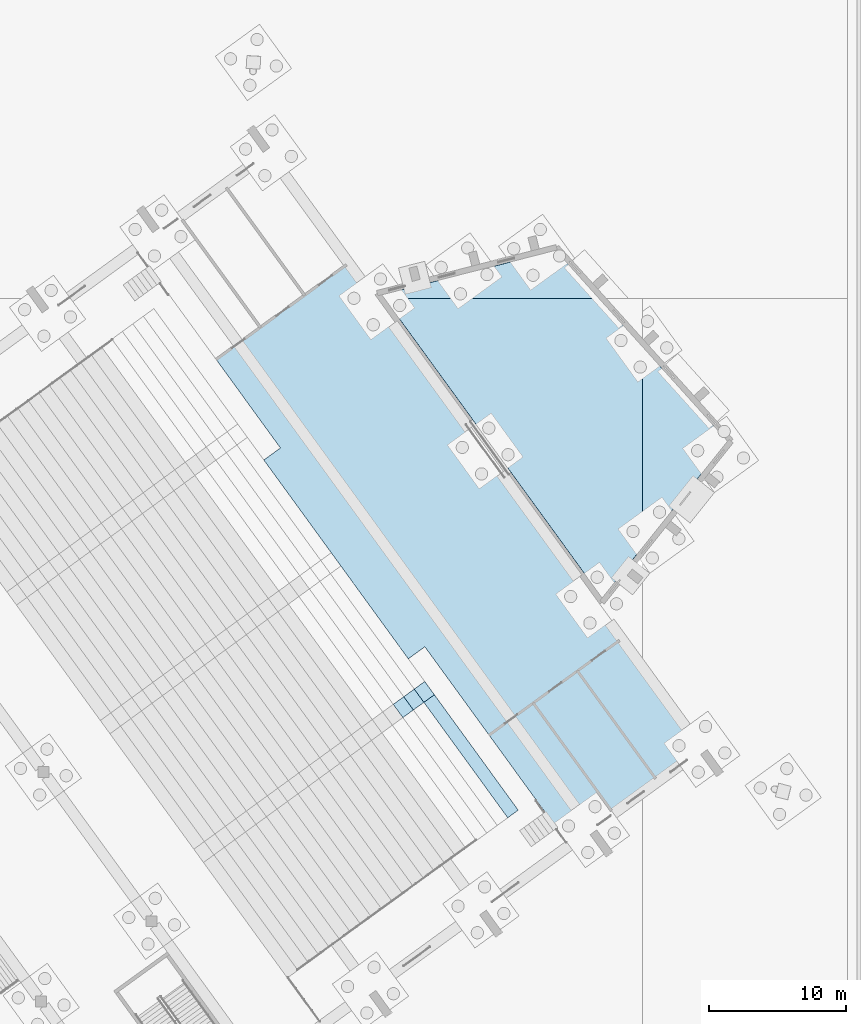
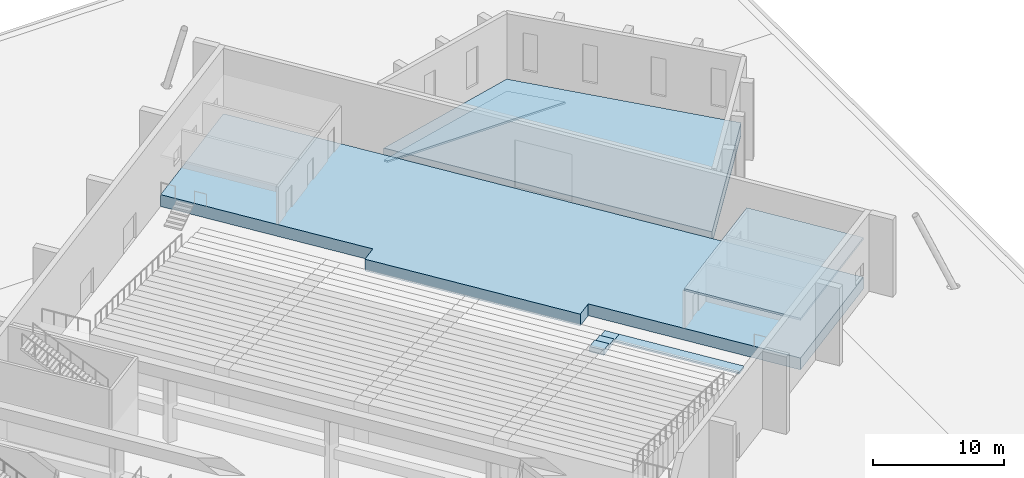
# One storey, part 163 of 239: 10 slabs.
"""IFC4 building model written with IfcOpenShell, lengths in metres."""

import ifcopenshell
import ifcopenshell.guid

model = None  # the IFC model being written
_history = None  # IfcOwnerHistory: only IFC2X3 demands one
_inside = {}  # id of a spatial element -> (the spatial element, [elements in it])
_under = {}  # id of a project, library or spatial element -> (it, [spatial elements below it])
_declared = {}  # id of a project -> (the project, [libraries it declares])
_typed = {}  # id of a type object -> (the type object, [elements of that type])
_made_of = {}  # id of a material, layer set ... -> (it, [elements and type objects made of it])


def new_model(schema):
    """Start an empty IFC model of exactly this schema.

    Asked for "IFC4X3", IfcOpenShell would pick the latest addendum, in which some entities
    have other attributes; the version numbers below select the first issue.
    IFC2X3 requires an IfcOwnerHistory on every rooted entity: one is made here for all.
    """
    global model, _history
    if schema == "IFC4X3":
        model = ifcopenshell.file(schema_version=(4, 3, 0, 0))
    else:
        model = ifcopenshell.file(schema=schema)
    _inside.clear()
    _under.clear()
    _declared.clear()
    _typed.clear()
    _made_of.clear()
    _history = None
    if model.schema == "IFC2X3":
        org = make("IfcOrganization", Name="unknown")
        user = make(
            "IfcPersonAndOrganization",
            ThePerson=make("IfcPerson", FamilyName="unknown"),
            TheOrganization=org,
        )
        app = make(
            "IfcApplication",
            ApplicationDeveloper=org,
            Version="unknown",
            ApplicationFullName="unknown",
            ApplicationIdentifier="unknown",
        )
        _history = make(
            "IfcOwnerHistory",
            OwningUser=user,
            OwningApplication=app,
            ChangeAction="ADDED",
            CreationDate=0,
        )
    return model


def make(cls, **values):
    """One entity of the class cls with the attributes given. An attribute that is None is left unset."""
    return model.create_entity(
        cls, **{name: value for name, value in values.items() if value is not None}
    )


def rooted(cls, **values):
    """An entity with a GlobalId (a new one), such as an element, a storey or a relation."""
    return make(cls, GlobalId=ifcopenshell.guid.new(), OwnerHistory=_history, **values)


def si_unit(unit_type, name, prefix=None):
    """IfcSIUnit, for example si_unit("LENGTHUNIT", "METRE", prefix="MILLI")."""
    return make("IfcSIUnit", UnitType=unit_type, Prefix=prefix, Name=name)


def assignment(units):
    """IfcUnitAssignment: the units of a project."""
    return None if units is None else make("IfcUnitAssignment", Units=units)


def point(xyz):
    """IfcCartesianPoint."""
    return None if xyz is None else make("IfcCartesianPoint", Coordinates=xyz)


def direction(xyz):
    """IfcDirection."""
    return None if xyz is None else make("IfcDirection", DirectionRatios=xyz)


def frame(location, z_axis=None, x_axis=None):
    """IfcAxis2Placement3D, a coordinate frame: its origin and axes. An axis left out is left unset."""
    return make(
        "IfcAxis2Placement3D",
        Location=point(location),
        Axis=direction(z_axis),
        RefDirection=direction(x_axis),
    )


def origin():
    """The frame at (0, 0, 0) with its axes left unset."""
    return frame((0.0, 0.0, 0.0))


def place(relative_to, where):
    """IfcLocalPlacement: puts the frame where relative to a parent placement (None: the world)."""
    return make(
        "IfcLocalPlacement", PlacementRelTo=relative_to, RelativePlacement=where
    )


def context(
    kind, dimensions, precision=None, world=None, true_north=None, identifier=None
):
    """IfcGeometricRepresentationContext, for example the 3D "Model" context."""
    return make(
        "IfcGeometricRepresentationContext",
        ContextIdentifier=identifier,
        ContextType=kind,
        CoordinateSpaceDimension=dimensions,
        Precision=precision,
        WorldCoordinateSystem=world,
        TrueNorth=true_north,
    )


def subcontext(parent, identifier, kind, view, scale=None):
    """IfcGeometricRepresentationSubContext, for example "Body" below "Model"."""
    return make(
        "IfcGeometricRepresentationSubContext",
        ContextIdentifier=identifier,
        ContextType=kind,
        ParentContext=parent,
        TargetScale=scale,
        TargetView=view,
    )


def project(units=None, contexts=None):
    """IfcProject with its units and contexts."""
    return rooted(
        "IfcProject",
        Name="project",
        RepresentationContexts=contexts,
        UnitsInContext=assignment(units),
    )


def spatial(cls, under=None, at=None, **own):
    """A site, building, storey or space (cls), placed at a placement, below another one or the project."""
    s = rooted(cls, ObjectPlacement=at, **own)
    if under is not None:
        _under.setdefault(under.id(), (under, []))[1].append(s)
    return s


def polyline(points):
    """IfcPolyline through the points."""
    return make("IfcPolyline", Points=[point(p) for p in points])


def outline(outer, holes=None, kind="AREA"):
    """IfcArbitraryClosedProfileDef: a profile drawn as a closed curve; with holes, ...WithVoids."""
    if holes is None:
        return make("IfcArbitraryClosedProfileDef", ProfileType=kind, OuterCurve=outer)
    return make(
        "IfcArbitraryProfileDefWithVoids",
        ProfileType=kind,
        OuterCurve=outer,
        InnerCurves=holes,
    )


def extrude(swept, where, along, depth):
    """IfcExtrudedAreaSolid: the profile swept, set in the frame where, extruded along a direction by depth."""
    return make(
        "IfcExtrudedAreaSolid",
        SweptArea=swept,
        Position=where,
        ExtrudedDirection=direction(along),
        Depth=depth,
    )


def shape(context_of_items, identifier, shape_type, items):
    """IfcShapeRepresentation: the items that make up one representation, for example the "Body"."""
    return make(
        "IfcShapeRepresentation",
        ContextOfItems=context_of_items,
        RepresentationIdentifier=identifier,
        RepresentationType=shape_type,
        Items=items,
    )


def material(Name=None, Category=None):
    """IfcMaterial."""
    return make("IfcMaterial", Name=Name, Category=Category)


def layer(
    of_material, thickness, ventilated=None, Name=None, Category=None, Priority=None
):
    """IfcMaterialLayer: one layer of a wall or slab, of a material (None: an air gap)."""
    return make(
        "IfcMaterialLayer",
        Material=of_material,
        LayerThickness=thickness,
        IsVentilated=ventilated,
        Name=Name,
        Category=Category,
        Priority=Priority,
    )


def layer_set(layers, Name=None):
    """IfcMaterialLayerSet."""
    return make("IfcMaterialLayerSet", MaterialLayers=layers, LayerSetName=Name)


def made_of(thing, what):
    """Note that an element or type object is made of a material, layer set ...; save() writes the relation."""
    if what is not None:
        _made_of.setdefault(what.id(), (what, []))[1].append(thing)
    return thing


def type_object(cls, material=None, **own):
    """A type object (cls), such as IfcWallType, which elements share."""
    return made_of(rooted(cls, **own), material)


def element(
    cls,
    number,
    at=None,
    inside=None,
    cuts=None,
    type_object=None,
    material=None,
    context=None,
    identifier="Body",
    shape_type=None,
    held_by="IfcProductDefinitionShape",
    body=None,
    shapes=None,
    **own,
):
    """One element of the class cls, such as IfcWall. Its Tag is "e" and its number.

    at: its placement. inside: the storey or other place that contains it. cuts: it is an
    opening in that element (IfcRelVoidsElement). A single representation is given by context,
    identifier, shape_type and body (its items); several are given by shapes. held_by: the class
    of the entity that holds the representations. save() writes the other relations.
    """
    e = rooted(cls, Tag="e%d" % number, ObjectPlacement=at, **own)
    if body is not None:
        shapes = [shape(context, identifier, shape_type, body)]
    if shapes is not None:
        e.Representation = make(held_by, Representations=shapes)
    if inside is not None:
        _inside.setdefault(inside.id(), (inside, []))[1].append(e)
    if cuts is not None:
        rooted(
            "IfcRelVoidsElement", RelatingBuildingElement=cuts, RelatedOpeningElement=e
        )
    if type_object is not None:
        _typed.setdefault(type_object.id(), (type_object, []))[1].append(e)
    return made_of(e, material)


def aggregate(whole, parts):
    """IfcRelAggregates: a whole, such as a stair, and the parts it consists of."""
    return rooted("IfcRelAggregates", RelatingObject=whole, RelatedObjects=parts)


def save(model, path):
    """Write the relations noted so far, then the file.

    IfcRelAggregates (storeys below a building ...), IfcRelContainedInSpatialStructure (elements
    in a storey), IfcRelDefinesByType, IfcRelAssociatesMaterial and IfcRelDeclares: one each for
    every whole, place, type object, material and project.
    """
    for whole, parts in _under.values():
        aggregate(whole, parts)
    for where, things in _inside.values():
        rooted(
            "IfcRelContainedInSpatialStructure",
            RelatedElements=things,
            RelatingStructure=where,
        )
    for kind, things in _typed.values():
        rooted("IfcRelDefinesByType", RelatedObjects=things, RelatingType=kind)
    for what, things in _made_of.values():
        rooted("IfcRelAssociatesMaterial", RelatedObjects=things, RelatingMaterial=what)
    for by, libraries in _declared.values():
        rooted("IfcRelDeclares", RelatingContext=by, RelatedDefinitions=libraries)
    model.write(path)


model = new_model("IFC4")

# Units and contexts
model_context = context("Model", 3, precision=1e-05, world=origin(), true_north=direction((0.0, 1.0)))
body_context = subcontext(model_context, "Body", "Model", "MODEL_VIEW")
ifc_project = project(units=[si_unit("LENGTHUNIT", "METRE"), si_unit("AREAUNIT", "SQUARE_METRE"), si_unit("VOLUMEUNIT", "CUBIC_METRE"), si_unit("PLANEANGLEUNIT", "RADIAN"), si_unit("MASSUNIT", "GRAM", prefix="KILO")], contexts=[model_context])

# Site, building, storey
site_placement = place(None, origin())
site = spatial("IfcSite", under=ifc_project, at=site_placement, CompositionType="ELEMENT")
building_placement = place(site_placement, origin())
building = spatial("IfcBuilding", under=site, at=building_placement, Name="Okhra Congress Centre", CompositionType="ELEMENT")
storey_placement = place(building_placement, origin())
storey = spatial("IfcBuildingStorey", under=building, at=storey_placement, Name="L00", CompositionType="ELEMENT", Elevation=0.0)

# Slabs
ifc_material_1 = material(Name="Concrete C30/37", Category="concrete")
ifc_layer_1 = layer(ifc_material_1, 0.14990234375)
ifc_layer_set_1 = layer_set([ifc_layer_1], Name="Paving slab 150 C30/37")
slab_type_1 = type_object("IfcSlabType", Name="Paving slab 150 C30/37", PredefinedType="BASESLAB", material=ifc_layer_set_1)
slab_1_placement = place(storey_placement, frame((0.0, 0.0, -0.14990234375)))
element("IfcSlab", 1, at=slab_1_placement, inside=storey, type_object=slab_type_1, Name="Entrance Forecourt 2 paving", PredefinedType="BASESLAB", context=body_context, shape_type="SweptSolid", body=[
    extrude(outline(polyline([(274.0, 220.8427734375), (270.796142578125, 224.39990234375), (255.1123046875, 224.39990234375), (271.0419921875, 202.474609375), (274.0, 206.16943359375), (274.0, 220.8427734375)])), origin(), (0.0, 0.0, 1.0), 0.14990234375),
])
ifc_material_2 = material(Name="Precast concrete C40/50", Category="concrete")
slab_type_2 = type_object("IfcSlabType", Name="Precast RC stalls aisle step unit C40/50", PredefinedType="FLOOR", material=ifc_material_2)
slab_2_placement = place(storey_placement, origin())
element("IfcSlab", 2, at=slab_2_placement, inside=storey, type_object=slab_type_2, Name="Stalls aisle step unit 1.2", PredefinedType="FLOOR", context=body_context, shape_type="SweptSolid", body=[
    extrude(outline(polyline([(257.991455078125, 194.8154296875), (258.760009765625, 195.373779296875), (258.0546875, 196.3447265625), (257.2861328125, 195.786376953125), (257.991455078125, 194.8154296875)])), origin(), (0.0, 0.0, 1.0), 0.16357421875),
])
slab_3_placement = place(storey_placement, origin())
element("IfcSlab", 3, at=slab_3_placement, inside=storey, type_object=slab_type_2, Name="Stalls aisle step unit 2.2", PredefinedType="FLOOR", context=body_context, shape_type="SweptSolid", body=[
    extrude(outline(polyline([(257.222900390625, 194.257080078125), (257.991455078125, 194.8154296875), (257.2861328125, 195.786376953125), (256.517578125, 195.22802734375), (257.222900390625, 194.257080078125)])), origin(), (0.0, 0.0, 1.0), 0.327392578125),
])
slab_4_placement = place(storey_placement, origin())
element("IfcSlab", 4, at=slab_4_placement, inside=storey, type_object=slab_type_2, Name="Stalls aisle step unit 3.2", PredefinedType="FLOOR", context=body_context, shape_type="SweptSolid", body=[
    extrude(outline(polyline([(256.454345703125, 193.69873046875), (257.222900390625, 194.257080078125), (256.517578125, 195.22802734375), (255.7490234375, 194.66943359375), (256.454345703125, 193.69873046875)])), origin(), (0.0, 0.0, 1.0), 0.490966796875),
])
ifc_material_3 = material(Name="Precast concrete C35/45", Category="concrete")
slab_type_3 = type_object("IfcSlabType", Name="Precast RC stalls seat-row step unit C35/45", PredefinedType="FLOOR", material=ifc_material_3)
slab_5_placement = place(storey_placement, origin())
element("IfcSlab", 5, at=slab_5_placement, inside=storey, type_object=slab_type_3, Name="Stalls seat-row step unit 1.1", PredefinedType="FLOOR", context=body_context, shape_type="SweptSolid", body=[
    extrude(outline(polyline([(264.1337890625, 186.361328125), (264.90234375, 186.919677734375), (258.760009765625, 195.373779296875), (257.991455078125, 194.8154296875), (264.1337890625, 186.361328125)])), origin(), (0.0, 0.0, 1.0), 0.16357421875),
])
ifc_layer_2 = layer(ifc_material_1, 0.179931640625)
ifc_layer_set_2 = layer_set([ifc_layer_2], Name="RC car park slab 180 C30/37")
slab_type_4 = type_object("IfcSlabType", Name="RC car park slab 180 C30/37", PredefinedType="BASESLAB", material=ifc_layer_set_2)
slab_6_placement = place(storey_placement, frame((0.0, 0.0, -0.179931640625)))
element("IfcSlab", 6, at=slab_6_placement, inside=storey, type_object=slab_type_4, Name="Car Park North East 2 paving", PredefinedType="BASESLAB", context=body_context, shape_type="SweptSolid", body=[
    extrude(outline(polyline([(254.927490234375, 224.654052734375), (255.1123046875, 224.39990234375), (270.796142578125, 224.39990234375), (267.637451171875, 227.906982421875), (254.927490234375, 224.654052734375)])), origin(), (0.0, 0.0, 1.0), 0.179931640625),
])
slab_7_placement = place(storey_placement, frame((0.0, 0.0, -0.179931640625)))
element("IfcSlab", 7, at=slab_7_placement, inside=storey, type_object=slab_type_4, Name="Car Park East 2 paving", PredefinedType="BASESLAB", context=body_context, shape_type="SweptSolid", body=[
    extrude(outline(polyline([(280.218994140625, 213.93798828125), (274.0, 220.8427734375), (274.0, 206.16943359375), (280.218994140625, 213.93798828125)])), origin(), (0.0, 0.0, 1.0), 0.179931640625),
])
ifc_layer_3 = layer(ifc_material_1, 0.199951171875)
ifc_layer_set_3 = layer_set([ifc_layer_3], Name="RC roof slab 200 C30/37")
slab_type_5 = type_object("IfcSlabType", Name="RC roof slab 200 C30/37", PredefinedType="ROOF", material=ifc_layer_set_3)
slab_8_placement = place(storey_placement, frame((0.0, 0.0, 4.60009765625)))
element("IfcSlab", 8, at=slab_8_placement, inside=storey, type_object=slab_type_5, Name="Stage wing S roof slab", PredefinedType="ROOF", context=body_context, shape_type="SweptSolid", body=[
    extrude(outline(polyline([(268.496337890625, 184.52490234375), (278.042724609375, 191.460693359375), (272.311767578125, 199.3486328125), (262.765380859375, 192.412841796875), (268.496337890625, 184.52490234375)])), origin(), (0.0, 0.0, 1.0), 0.199951171875),
])
ifc_layer_4 = layer(ifc_material_1, 1.10009765625)
ifc_layer_set_4 = layer_set([ifc_layer_4], Name="RC stage base slab 1100 C30/37")
slab_type_6 = type_object("IfcSlabType", Name="RC stage base slab 1100 C30/37", PredefinedType="BASESLAB", material=ifc_layer_set_4)
slab_9_placement = place(storey_placement, origin())
element("IfcSlab", 9, at=slab_9_placement, inside=storey, type_object=slab_type_6, Name="Stage deck with forestage", PredefinedType="BASESLAB", context=body_context, shape_type="SweptSolid", body=[
    extrude(outline(polyline([(268.496337890625, 184.52490234375), (278.042724609375, 191.460693359375), (246.59619140625, 234.7431640625), (237.0498046875, 227.80712890625), (247.483154296875, 213.447265625), (246.26953125, 212.5654296875), (256.849609375, 198.003173828125), (258.063232421875, 198.884765625), (268.496337890625, 184.52490234375)])), origin(), (0.0, 0.0, 1.0), 1.10009765625),
])
slab_10_placement = place(storey_placement, origin())
element("IfcSlab", 10, at=slab_10_placement, inside=storey, type_object=slab_type_6, Name="Stage house floor", PredefinedType="BASESLAB", context=body_context, shape_type="SweptSolid", body=[
    extrude(outline(polyline([(280.232177734375, 213.9384765625), (267.640869140625, 227.91796875), (254.910888671875, 224.66015625), (271.04150390625, 202.4580078125), (280.232177734375, 213.9384765625)])), origin(), (0.0, 0.0, 1.0), 1.10009765625),
])

save(model, "model.ifc")
